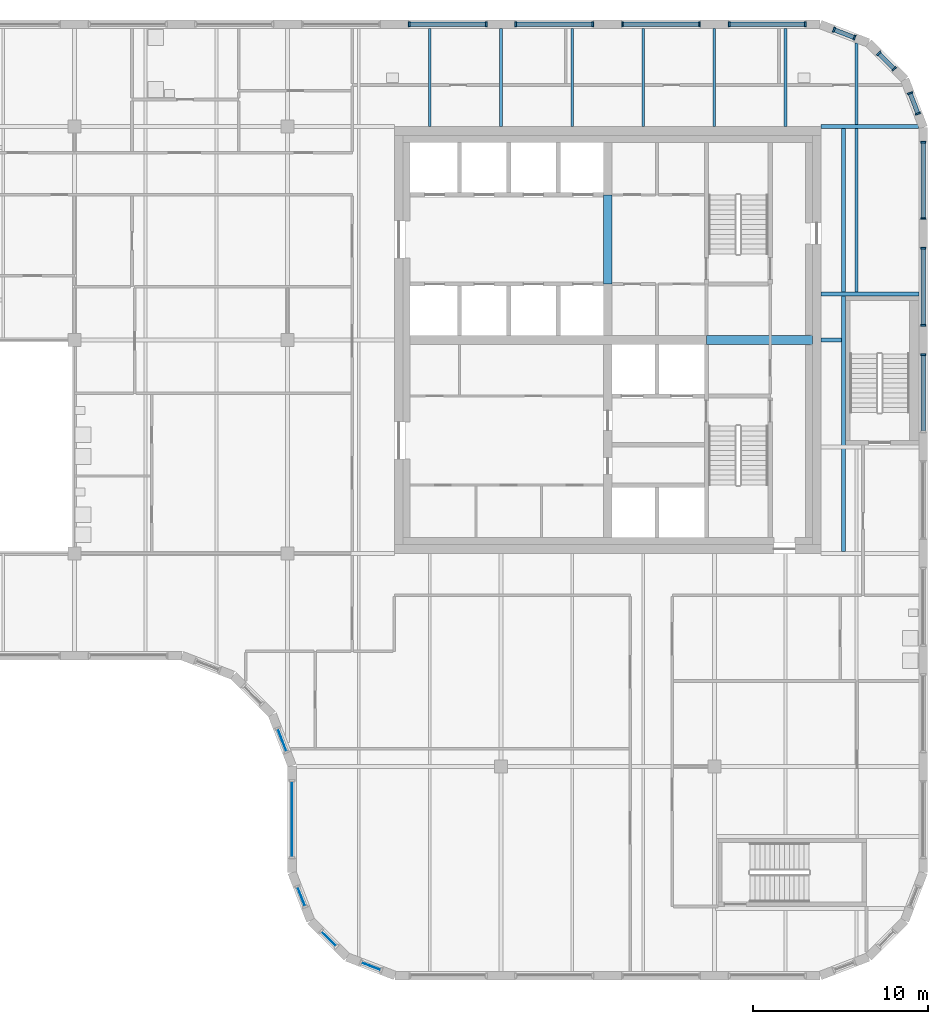
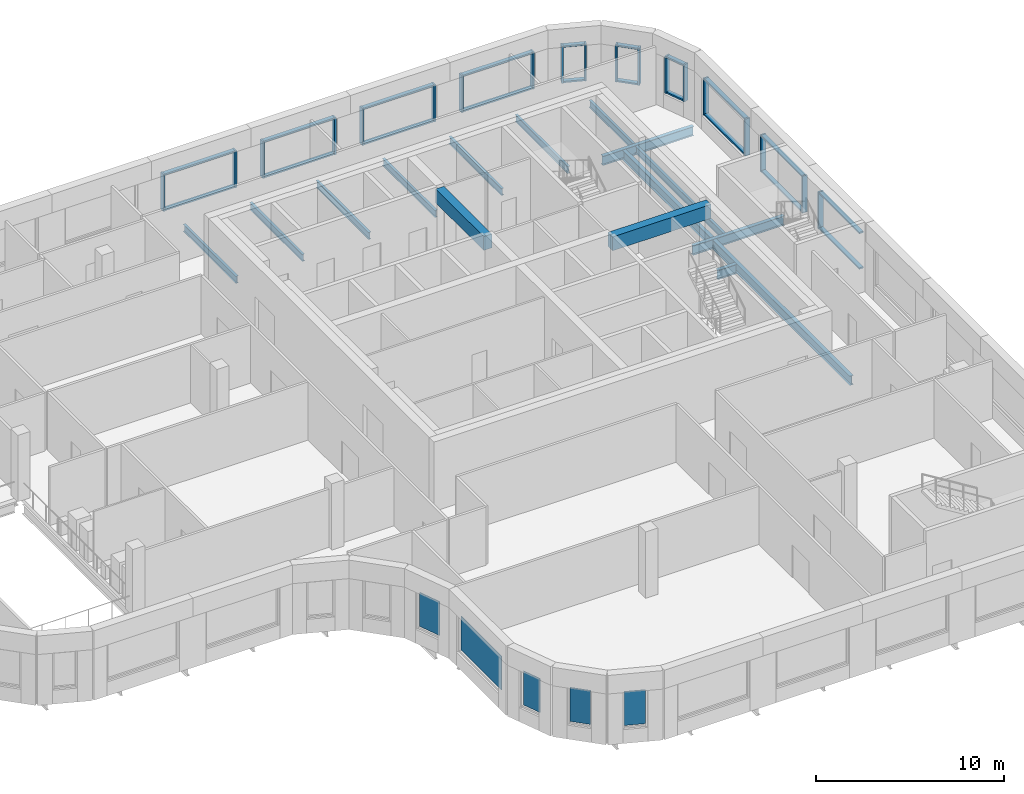
# One storey, part 5 of 21: 39 members, 14 beams, 5 plates, 15 elements without a shape of their own.
"""IFC4 building model written with IfcOpenShell, lengths in metres."""

from ifc_helpers import new_model, si_unit, direction, frame, origin, origin_2d, place, context, subcontext, project, spatial, rectangle, i_section, extrude, material, layer, layer_set, material_profile, profile_set, type_object, element, aggregate, save


model = new_model("IFC4")

# Units and contexts
model_context = context("Model", 3, precision=1e-05, world=origin(), true_north=direction((0.0, 1.0)))
body_context = subcontext(model_context, "Body", "Model", "MODEL_VIEW")
ifc_project = project(units=[si_unit("LENGTHUNIT", "METRE"), si_unit("AREAUNIT", "SQUARE_METRE"), si_unit("VOLUMEUNIT", "CUBIC_METRE"), si_unit("PLANEANGLEUNIT", "RADIAN"), si_unit("MASSUNIT", "GRAM", prefix="KILO")], contexts=[model_context])

# Site, building, storey
site_placement = place(None, origin())
site = spatial("IfcSite", under=ifc_project, at=site_placement, CompositionType="ELEMENT")
building_placement = place(site_placement, origin())
building = spatial("IfcBuilding", under=site, at=building_placement, Name="Tessera Gate Towers", CompositionType="ELEMENT")
storey_placement = place(building_placement, frame((0.0, 0.0, 193.39990234375)))
storey = spatial("IfcBuildingStorey", under=building, at=storey_placement, Name="L48", CompositionType="ELEMENT", Elevation=193.39990234375)

# Beams
ifc_material_1 = material(Name="Concrete C50/60", Category="concrete")
ifc_material_profile_1 = material_profile(ifc_material_1, rectangle(XDim=0.5, YDim=0.89990234375, at=origin_2d()), Name="RC 500x900")
ifc_profile_set_1 = profile_set([ifc_material_profile_1], Name="Concrete C50/60")
beam_type_1 = type_object("IfcBeamType", Name="COUPLING BEAM 500x900 C50/60", PredefinedType="BEAM", material=ifc_profile_set_1)
beam_1_placement = place(storey_placement, frame((48.35009765625, 36.60009765625, 3.85009765625), z_axis=(1.0, 0.0, 0.0), x_axis=(0.0, 1.0, 0.0)))
element("IfcBeam", 1, at=beam_1_placement, inside=storey, type_object=beam_type_1, Name="L48 coupling beam 1", PredefinedType="BEAM", context=body_context, shape_type="SweptSolid", body=[
    extrude(rectangle(XDim=0.5, YDim=0.89990234375, at=origin_2d()), origin(), (0.0, 0.0, 1.0), 6.0498046875),
])
beam_2_placement = place(storey_placement, frame((42.699951171875, 39.800048828125, 3.85009765625), z_axis=(0.0, 1.0, 0.0), x_axis=(-1.0, 0.0, 0.0)))
element("IfcBeam", 2, at=beam_2_placement, inside=storey, type_object=beam_type_1, Name="L48 coupling beam 2", PredefinedType="BEAM", context=body_context, shape_type="SweptSolid", body=[
    extrude(rectangle(XDim=0.5, YDim=0.89990234375, at=origin_2d()), origin(), (0.0, 0.0, 1.0), 5.099853515625),
])
ifc_material_2 = material(Name="Steel 350W", Category="steel")
ifc_material_profile_2 = material_profile(ifc_material_2, i_section(OverallWidth=0.22802734375, OverallDepth=0.60302734375, WebThickness=0.010498046875, FlangeThickness=0.014892578125, at=origin_2d()), Name="W610x101")
ifc_profile_set_2 = profile_set([ifc_material_profile_2], Name="Steel 350W")
beam_type_2 = type_object("IfcBeamType", Name="FLOOR GIRDER W610x101", PredefinedType="BEAM", material=ifc_profile_set_2)
beam_3_placement = place(storey_placement, frame((54.89892578125, 36.60009765625, -0.551513671875), z_axis=(1.0, 0.0, 0.0), x_axis=(0.0, 1.0, 0.0)))
element("IfcBeam", 3, at=beam_3_placement, inside=storey, type_object=beam_type_2, Name="T1-GD-L48-5118", PredefinedType="BEAM", context=body_context, shape_type="SweptSolid", body=[
    extrude(i_section(OverallWidth=0.22802734375, OverallDepth=0.60302734375, WebThickness=0.010498046875, FlangeThickness=0.014892578125, at=origin_2d()), origin(), (0.0, 0.0, 1.0), 1.1669921875),
])
beam_4_placement = place(storey_placement, frame((54.90087890625, 48.800048828125, -0.551513671875), z_axis=(1.0, 0.0, 0.0), x_axis=(0.0, 1.0, 0.0)))
element("IfcBeam", 4, at=beam_4_placement, inside=storey, type_object=beam_type_2, Name="T1-GD-L48-5122", PredefinedType="BEAM", context=body_context, shape_type="SweptSolid", body=[
    extrude(i_section(OverallWidth=0.22802734375, OverallDepth=0.60302734375, WebThickness=0.010498046875, FlangeThickness=0.014892578125, at=origin_2d()), origin(), (0.0, 0.0, 1.0), 5.564208984375),
])
beam_5_placement = place(storey_placement, frame((54.89892578125, 39.219970703125, -0.551513671875), z_axis=(1.0, 0.0, 0.0), x_axis=(0.0, 1.0, 0.0)))
element("IfcBeam", 5, at=beam_5_placement, inside=storey, type_object=beam_type_2, Name="T1-GD-L48-5140", PredefinedType="BEAM", context=body_context, shape_type="SweptSolid", body=[
    extrude(i_section(OverallWidth=0.22802734375, OverallDepth=0.60302734375, WebThickness=0.010498046875, FlangeThickness=0.014892578125, at=origin_2d()), origin(), (0.0, 0.0, 1.0), 5.60205078125),
])
beam_6_placement = place(storey_placement, frame((56.179931640625, 24.513916015625, -0.551513671875), z_axis=(0.0, 1.0, 0.0), x_axis=(-1.0, 0.0, 0.0)))
element("IfcBeam", 6, at=beam_6_placement, inside=storey, type_object=beam_type_2, Name="T1-GD-L48-5141", PredefinedType="BEAM", context=body_context, shape_type="SweptSolid", body=[
    extrude(i_section(OverallWidth=0.22802734375, OverallDepth=0.60302734375, WebThickness=0.010498046875, FlangeThickness=0.014892578125, at=origin_2d()), origin(), (0.0, 0.0, 1.0), 24.172119140625),
])
ifc_material_3 = material(Name="Steel 350W", Category="steel")
ifc_material_profile_3 = material_profile(ifc_material_3, i_section(OverallWidth=0.153076171875, OverallDepth=0.455078125, WebThickness=0.008056640625, FlangeThickness=0.01318359375, at=origin_2d()), Name="W460x60")
ifc_profile_set_3 = profile_set([ifc_material_profile_3], Name="Steel 350W")
beam_type_3 = type_object("IfcBeamType", Name="FLOOR SECONDARY W460x60", PredefinedType="BEAM", material=ifc_profile_set_3)
for number, where, z_axis, x_axis, name in (
    (7, (32.533203125, 48.800048828125, -0.477294921875), (0.0, 1.0, 0.0), (-1.0, 0.0, 0.0), "T1-BM-L48-5163"),
    (8, (36.60009765625, 48.800048828125, -0.477294921875), (0.0, 1.0, 0.0), (-1.0, 0.0, 0.0), "T1-BM-L48-5164"),
    (9, (40.666748046875, 48.800048828125, -0.477294921875), (0.0, 1.0, 0.0), (-1.0, 0.0, 0.0), "T1-BM-L48-5167"),
    (10, (44.7333984375, 48.800048828125, -0.477294921875), (0.0, 1.0, 0.0), (-1.0, 0.0, 0.0), "T1-BM-L48-5170"),
    (11, (48.800048828125, 48.800048828125, -0.477294921875), (0.0, 1.0, 0.0), (-1.0, 0.0, 0.0), "T1-BM-L48-5171"),
    (12, (52.86669921875, 48.800048828125, -0.477294921875), (0.0, 1.0, 0.0), (-1.0, 0.0, 0.0), "T1-BM-L48-5175"),
):
    element("IfcBeam", number, at=place(storey_placement, frame(where, z_axis=z_axis, x_axis=x_axis)), inside=storey, type_object=beam_type_3, Name=name, PredefinedType="BEAM", context=body_context, shape_type="SweptSolid", body=[
        extrude(i_section(OverallWidth=0.153076171875, OverallDepth=0.455078125, WebThickness=0.008056640625, FlangeThickness=0.01318359375, at=origin_2d()), origin(), (0.0, 0.0, 1.0), 5.599853515625),
    ])
beam_7_placement = place(storey_placement, frame((56.933349609375, 39.333984375, -0.477294921875), z_axis=(0.0, 1.0, 0.0), x_axis=(-1.0, 0.0, 0.0)))
element("IfcBeam", 13, at=beam_7_placement, inside=storey, type_object=beam_type_3, Name="T1-BM-L48-5180", PredefinedType="BEAM", context=body_context, shape_type="SweptSolid", body=[
    extrude(i_section(OverallWidth=0.153076171875, OverallDepth=0.455078125, WebThickness=0.008056640625, FlangeThickness=0.01318359375, at=origin_2d()), origin(), (0.0, 0.0, 1.0), 9.35205078125),
])
beam_8_placement = place(storey_placement, frame((56.933349609375, 48.9140625, -0.477294921875), z_axis=(0.0, 1.0, 0.0), x_axis=(-1.0, 0.0, 0.0)))
element("IfcBeam", 14, at=beam_8_placement, inside=storey, type_object=beam_type_3, Name="T1-BM-L48-5181", PredefinedType="BEAM", context=body_context, shape_type="SweptSolid", body=[
    extrude(i_section(OverallWidth=0.153076171875, OverallDepth=0.455078125, WebThickness=0.008056640625, FlangeThickness=0.01318359375, at=origin_2d()), origin(), (0.0, 0.0, 1.0), 4.66552734375),
])

# Curtain wall, member
ifc_material_4 = material(Name="Aluminium frame", Category="aluminium")
curtain_wall_type = type_object("IfcCurtainWallType", Name="CW-S3 amenity floor glazing", PredefinedType="NOTDEFINED", material=ifc_material_4)
curtain_wall_1_placement = place(storey_placement, origin())
curtain_wall_1 = element("IfcCurtainWall", 15, at=curtain_wall_1_placement, inside=storey, type_object=curtain_wall_type, Name="Curtain wall amenity floor glazing 0056", PredefinedType="NOTDEFINED")
ifc_material_5 = material(Name="Aluminium frame", Category="aluminium")
ifc_material_profile_4 = material_profile(ifc_material_5, rectangle(XDim=0.10009765625, YDim=0.300048828125, at=origin_2d()), Name="AL 100x300")
ifc_profile_set_4 = profile_set([ifc_material_profile_4], Name="Aluminium frame")
member_type_1 = type_object("IfcMemberType", Name="MU-S3 mullion 100x300", PredefinedType="MULLION", material=ifc_profile_set_4)
member_1_placement = place(storey_placement, frame((60.75, 35.75, 0.900146484375), z_axis=(0.0, 0.0, 1.0), x_axis=(0.0, 1.0, 0.0)))
member_1 = element("IfcMember", 16, at=member_1_placement, type_object=member_type_1, Name="T1-CW3-0056 mullion 2", PredefinedType="MULLION", context=body_context, shape_type="SweptSolid", body=[
    extrude(rectangle(XDim=0.10009765625, YDim=0.300048828125, at=origin_2d()), origin(), (0.0, 0.0, 1.0), 2.39990234375),
])

# Curtain wall, members
curtain_wall_2_placement = place(storey_placement, origin())
curtain_wall_2 = element("IfcCurtainWall", 17, at=curtain_wall_2_placement, inside=storey, type_object=curtain_wall_type, Name="Curtain wall amenity floor glazing 0057", PredefinedType="NOTDEFINED")
member_2_placement = place(storey_placement, frame((60.75, 37.449951171875, 0.900146484375), z_axis=(0.0, 0.0, 1.0), x_axis=(0.0, 1.0, 0.0)))
member_2 = element("IfcMember", 18, at=member_2_placement, type_object=member_type_1, Name="T1-CW3-0057 mullion 1", PredefinedType="MULLION", context=body_context, shape_type="SweptSolid", body=[
    extrude(rectangle(XDim=0.10009765625, YDim=0.300048828125, at=origin_2d()), origin(), (0.0, 0.0, 1.0), 2.39990234375),
])
member_3_placement = place(storey_placement, frame((60.75, 41.85009765625, 0.900146484375), z_axis=(0.0, 0.0, 1.0), x_axis=(0.0, 1.0, 0.0)))
member_3 = element("IfcMember", 19, at=member_3_placement, type_object=member_type_1, Name="T1-CW3-0057 mullion 2", PredefinedType="MULLION", context=body_context, shape_type="SweptSolid", body=[
    extrude(rectangle(XDim=0.10009765625, YDim=0.300048828125, at=origin_2d()), origin(), (0.0, 0.0, 1.0), 2.39990234375),
])

curtain_wall_3_placement = place(storey_placement, origin())
curtain_wall_3 = element("IfcCurtainWall", 20, at=curtain_wall_3_placement, inside=storey, type_object=curtain_wall_type, Name="Curtain wall amenity floor glazing 0058", PredefinedType="NOTDEFINED")
member_4_placement = place(storey_placement, frame((60.75, 43.550048828125, 0.900146484375), z_axis=(0.0, 0.0, 1.0), x_axis=(0.0, 1.0, 0.0)))
member_4 = element("IfcMember", 21, at=member_4_placement, type_object=member_type_1, Name="T1-CW3-0058 mullion 1", PredefinedType="MULLION", context=body_context, shape_type="SweptSolid", body=[
    extrude(rectangle(XDim=0.10009765625, YDim=0.300048828125, at=origin_2d()), origin(), (0.0, 0.0, 1.0), 2.39990234375),
])
member_5_placement = place(storey_placement, frame((60.75, 47.903564453125, 0.900146484375), z_axis=(0.0, 0.0, 1.0), x_axis=(0.0, 1.0, 0.0)))
member_5 = element("IfcMember", 22, at=member_5_placement, type_object=member_type_1, Name="T1-CW3-0058 mullion 2", PredefinedType="MULLION", context=body_context, shape_type="SweptSolid", body=[
    extrude(rectangle(XDim=0.10009765625, YDim=0.300048828125, at=origin_2d()), origin(), (0.0, 0.0, 1.0), 2.39990234375),
])

curtain_wall_4_placement = place(storey_placement, origin())
curtain_wall_4 = element("IfcCurtainWall", 23, at=curtain_wall_4_placement, inside=storey, type_object=curtain_wall_type, Name="Curtain wall amenity floor glazing 0059", PredefinedType="NOTDEFINED")
member_6_placement = place(storey_placement, frame((60.444091796875, 49.54638671875, 0.900146484375), z_axis=(0.0, 0.0, 1.0), x_axis=(-0.359904070394, 0.932989314041, 0.0)))
member_6 = element("IfcMember", 24, at=member_6_placement, type_object=member_type_1, Name="T1-CW3-0059 mullion 1", PredefinedType="MULLION", context=body_context, shape_type="SweptSolid", body=[
    extrude(rectangle(XDim=0.10009765625, YDim=0.300048828125, at=origin_2d()), origin(), (0.0, 0.0, 1.0), 2.39990234375),
])
member_7_placement = place(storey_placement, frame((59.993896484375, 50.713134765625, 0.900146484375), z_axis=(0.0, 0.0, 1.0), x_axis=(-0.359904070394, 0.932989314041, 0.0)))
member_7 = element("IfcMember", 25, at=member_7_placement, type_object=member_type_1, Name="T1-CW3-0059 mullion 2", PredefinedType="MULLION", context=body_context, shape_type="SweptSolid", body=[
    extrude(rectangle(XDim=0.10009765625, YDim=0.300048828125, at=origin_2d()), origin(), (0.0, 0.0, 1.0), 2.39990234375),
])

curtain_wall_5_placement = place(storey_placement, origin())
curtain_wall_5 = element("IfcCurtainWall", 26, at=curtain_wall_5_placement, inside=storey, type_object=curtain_wall_type, Name="Curtain wall amenity floor glazing 0060", PredefinedType="NOTDEFINED")
member_8_placement = place(storey_placement, frame((59.087158203125, 52.107421875, 0.900146484375), z_axis=(0.0, 0.0, 1.0), x_axis=(-0.707106781187, 0.707106781187, 0.0)))
member_8 = element("IfcMember", 27, at=member_8_placement, type_object=member_type_1, Name="T1-CW3-0060 mullion 1", PredefinedType="MULLION", context=body_context, shape_type="SweptSolid", body=[
    extrude(rectangle(XDim=0.10009765625, YDim=0.300048828125, at=origin_2d()), origin(), (0.0, 0.0, 1.0), 2.39990234375),
])
member_9_placement = place(storey_placement, frame((58.207275390625, 52.987060546875, 0.900146484375), z_axis=(0.0, 0.0, 1.0), x_axis=(-0.707106781187, 0.707106781187, 0.0)))
member_9 = element("IfcMember", 28, at=member_9_placement, type_object=member_type_1, Name="T1-CW3-0060 mullion 2", PredefinedType="MULLION", context=body_context, shape_type="SweptSolid", body=[
    extrude(rectangle(XDim=0.10009765625, YDim=0.300048828125, at=origin_2d()), origin(), (0.0, 0.0, 1.0), 2.39990234375),
])

curtain_wall_6_placement = place(storey_placement, origin())
curtain_wall_6 = element("IfcCurtainWall", 29, at=curtain_wall_6_placement, inside=storey, type_object=curtain_wall_type, Name="Curtain wall amenity floor glazing 0061", PredefinedType="NOTDEFINED")
member_10_placement = place(storey_placement, frame((56.813232421875, 53.89404296875, 0.900146484375), z_axis=(0.0, 0.0, 1.0), x_axis=(-0.932989314041, 0.359904070394, 0.0)))
member_10 = element("IfcMember", 30, at=member_10_placement, type_object=member_type_1, Name="T1-CW3-0061 mullion 1", PredefinedType="MULLION", context=body_context, shape_type="SweptSolid", body=[
    extrude(rectangle(XDim=0.10009765625, YDim=0.300048828125, at=origin_2d()), origin(), (0.0, 0.0, 1.0), 2.39990234375),
])
member_11_placement = place(storey_placement, frame((55.646484375, 54.343994140625, 0.900146484375), z_axis=(0.0, 0.0, 1.0), x_axis=(-0.932989314041, 0.359904070394, 0.0)))
member_11 = element("IfcMember", 31, at=member_11_placement, type_object=member_type_1, Name="T1-CW3-0061 mullion 2", PredefinedType="MULLION", context=body_context, shape_type="SweptSolid", body=[
    extrude(rectangle(XDim=0.10009765625, YDim=0.300048828125, at=origin_2d()), origin(), (0.0, 0.0, 1.0), 2.39990234375),
])

curtain_wall_7_placement = place(storey_placement, origin())
curtain_wall_7 = element("IfcCurtainWall", 32, at=curtain_wall_7_placement, inside=storey, type_object=curtain_wall_type, Name="Curtain wall amenity floor glazing 0062", PredefinedType="NOTDEFINED")
member_12_placement = place(storey_placement, frame((54.00341796875, 54.64990234375, 0.900146484375), z_axis=(0.0, 0.0, 1.0), x_axis=(-1.0, 0.0, 0.0)))
member_12 = element("IfcMember", 33, at=member_12_placement, type_object=member_type_1, Name="T1-CW3-0062 mullion 1", PredefinedType="MULLION", context=body_context, shape_type="SweptSolid", body=[
    extrude(rectangle(XDim=0.10009765625, YDim=0.300048828125, at=origin_2d()), origin(), (0.0, 0.0, 1.0), 2.39990234375),
])
member_13_placement = place(storey_placement, frame((49.64990234375, 54.64990234375, 0.900146484375), z_axis=(0.0, 0.0, 1.0), x_axis=(-1.0, 0.0, 0.0)))
member_13 = element("IfcMember", 34, at=member_13_placement, type_object=member_type_1, Name="T1-CW3-0062 mullion 2", PredefinedType="MULLION", context=body_context, shape_type="SweptSolid", body=[
    extrude(rectangle(XDim=0.10009765625, YDim=0.300048828125, at=origin_2d()), origin(), (0.0, 0.0, 1.0), 2.39990234375),
])

curtain_wall_8_placement = place(storey_placement, origin())
curtain_wall_8 = element("IfcCurtainWall", 35, at=curtain_wall_8_placement, inside=storey, type_object=curtain_wall_type, Name="Curtain wall amenity floor glazing 0063", PredefinedType="NOTDEFINED")
member_14_placement = place(storey_placement, frame((47.949951171875, 54.64990234375, 0.900146484375), z_axis=(0.0, 0.0, 1.0), x_axis=(-1.0, 0.0, 0.0)))
member_14 = element("IfcMember", 36, at=member_14_placement, type_object=member_type_1, Name="T1-CW3-0063 mullion 1", PredefinedType="MULLION", context=body_context, shape_type="SweptSolid", body=[
    extrude(rectangle(XDim=0.10009765625, YDim=0.300048828125, at=origin_2d()), origin(), (0.0, 0.0, 1.0), 2.39990234375),
])
member_15_placement = place(storey_placement, frame((43.550048828125, 54.64990234375, 0.900146484375), z_axis=(0.0, 0.0, 1.0), x_axis=(-1.0, 0.0, 0.0)))
member_15 = element("IfcMember", 37, at=member_15_placement, type_object=member_type_1, Name="T1-CW3-0063 mullion 2", PredefinedType="MULLION", context=body_context, shape_type="SweptSolid", body=[
    extrude(rectangle(XDim=0.10009765625, YDim=0.300048828125, at=origin_2d()), origin(), (0.0, 0.0, 1.0), 2.39990234375),
])

curtain_wall_9_placement = place(storey_placement, origin())
curtain_wall_9 = element("IfcCurtainWall", 38, at=curtain_wall_9_placement, inside=storey, type_object=curtain_wall_type, Name="Curtain wall amenity floor glazing 0064", PredefinedType="NOTDEFINED")
member_16_placement = place(storey_placement, frame((41.85009765625, 54.64990234375, 0.900146484375), z_axis=(0.0, 0.0, 1.0), x_axis=(-1.0, 0.0, 0.0)))
member_16 = element("IfcMember", 39, at=member_16_placement, type_object=member_type_1, Name="T1-CW3-0064 mullion 1", PredefinedType="MULLION", context=body_context, shape_type="SweptSolid", body=[
    extrude(rectangle(XDim=0.10009765625, YDim=0.300048828125, at=origin_2d()), origin(), (0.0, 0.0, 1.0), 2.39990234375),
])
member_17_placement = place(storey_placement, frame((37.449951171875, 54.64990234375, 0.900146484375), z_axis=(0.0, 0.0, 1.0), x_axis=(-1.0, 0.0, 0.0)))
member_17 = element("IfcMember", 40, at=member_17_placement, type_object=member_type_1, Name="T1-CW3-0064 mullion 2", PredefinedType="MULLION", context=body_context, shape_type="SweptSolid", body=[
    extrude(rectangle(XDim=0.10009765625, YDim=0.300048828125, at=origin_2d()), origin(), (0.0, 0.0, 1.0), 2.39990234375),
])

curtain_wall_10_placement = place(storey_placement, origin())
curtain_wall_10 = element("IfcCurtainWall", 41, at=curtain_wall_10_placement, inside=storey, type_object=curtain_wall_type, Name="Curtain wall amenity floor glazing 0065", PredefinedType="NOTDEFINED")
member_18_placement = place(storey_placement, frame((35.75, 54.64990234375, 0.900146484375), z_axis=(0.0, 0.0, 1.0), x_axis=(-1.0, 0.0, 0.0)))
member_18 = element("IfcMember", 42, at=member_18_placement, type_object=member_type_1, Name="T1-CW3-0065 mullion 1", PredefinedType="MULLION", context=body_context, shape_type="SweptSolid", body=[
    extrude(rectangle(XDim=0.10009765625, YDim=0.300048828125, at=origin_2d()), origin(), (0.0, 0.0, 1.0), 2.39990234375),
])
member_19_placement = place(storey_placement, frame((31.35009765625, 54.64990234375, 0.900146484375), z_axis=(0.0, 0.0, 1.0), x_axis=(-1.0, 0.0, 0.0)))
member_19 = element("IfcMember", 43, at=member_19_placement, type_object=member_type_1, Name="T1-CW3-0065 mullion 2", PredefinedType="MULLION", context=body_context, shape_type="SweptSolid", body=[
    extrude(rectangle(XDim=0.10009765625, YDim=0.300048828125, at=origin_2d()), origin(), (0.0, 0.0, 1.0), 2.39990234375),
])

# Member
ifc_material_6 = material(Name="Aluminium frame", Category="aluminium")
ifc_material_profile_5 = material_profile(ifc_material_6, rectangle(XDim=0.25, YDim=0.10009765625, at=origin_2d()), Name="AL 100x250")
ifc_profile_set_5 = profile_set([ifc_material_profile_5], Name="Aluminium frame")
member_type_2 = type_object("IfcMemberType", Name="TR-S3 transom 100x250", PredefinedType="USERDEFINED", material=ifc_profile_set_5)
member_20_placement = place(storey_placement, frame((60.75, 31.39990234375, 0.9501953125), z_axis=(0.0, 1.0, 0.0), x_axis=(-1.0, 0.0, 0.0)))
member_20 = element("IfcMember", 44, at=member_20_placement, type_object=member_type_2, Name="T1-CW3-0056 transom 1.1", ObjectType="TRANSOM", PredefinedType="USERDEFINED", context=body_context, shape_type="SweptSolid", body=[
    extrude(rectangle(XDim=0.25, YDim=0.10009765625, at=origin_2d()), origin(), (0.0, 0.0, 1.0), 4.300048828125),
])

member_21_placement = place(storey_placement, frame((60.75, 31.39990234375, 3.25), z_axis=(0.0, 1.0, 0.0), x_axis=(-1.0, 0.0, 0.0)))
member_21 = element("IfcMember", 45, at=member_21_placement, type_object=member_type_2, Name="T1-CW3-0056 transom 1.2", ObjectType="TRANSOM", PredefinedType="USERDEFINED", context=body_context, shape_type="SweptSolid", body=[
    extrude(rectangle(XDim=0.25, YDim=0.10009765625, at=origin_2d()), origin(), (0.0, 0.0, 1.0), 4.300048828125),
])

aggregate(curtain_wall_1, [member_1, member_20, member_21])

member_22_placement = place(storey_placement, frame((60.75, 37.5, 0.9501953125), z_axis=(0.0, 1.0, 0.0), x_axis=(-1.0, 0.0, 0.0)))
member_22 = element("IfcMember", 46, at=member_22_placement, type_object=member_type_2, Name="T1-CW3-0057 transom 1.1", ObjectType="TRANSOM", PredefinedType="USERDEFINED", context=body_context, shape_type="SweptSolid", body=[
    extrude(rectangle(XDim=0.25, YDim=0.10009765625, at=origin_2d()), origin(), (0.0, 0.0, 1.0), 4.300048828125),
])

member_23_placement = place(storey_placement, frame((60.75, 37.5, 3.25), z_axis=(0.0, 1.0, 0.0), x_axis=(-1.0, 0.0, 0.0)))
member_23 = element("IfcMember", 47, at=member_23_placement, type_object=member_type_2, Name="T1-CW3-0057 transom 1.2", ObjectType="TRANSOM", PredefinedType="USERDEFINED", context=body_context, shape_type="SweptSolid", body=[
    extrude(rectangle(XDim=0.25, YDim=0.10009765625, at=origin_2d()), origin(), (0.0, 0.0, 1.0), 4.300048828125),
])

aggregate(curtain_wall_2, [member_2, member_3, member_22, member_23])

member_24_placement = place(storey_placement, frame((60.75, 43.60009765625, 0.9501953125), z_axis=(0.0, 1.0, 0.0), x_axis=(-1.0, 0.0, 0.0)))
member_24 = element("IfcMember", 48, at=member_24_placement, type_object=member_type_2, Name="T1-CW3-0058 transom 1.1", ObjectType="TRANSOM", PredefinedType="USERDEFINED", context=body_context, shape_type="SweptSolid", body=[
    extrude(rectangle(XDim=0.25, YDim=0.10009765625, at=origin_2d()), origin(), (0.0, 0.0, 1.0), 4.25341796875),
])

member_25_placement = place(storey_placement, frame((60.75, 43.60009765625, 3.25), z_axis=(0.0, 1.0, 0.0), x_axis=(-1.0, 0.0, 0.0)))
member_25 = element("IfcMember", 49, at=member_25_placement, type_object=member_type_2, Name="T1-CW3-0058 transom 1.2", ObjectType="TRANSOM", PredefinedType="USERDEFINED", context=body_context, shape_type="SweptSolid", body=[
    extrude(rectangle(XDim=0.25, YDim=0.10009765625, at=origin_2d()), origin(), (0.0, 0.0, 1.0), 4.25341796875),
])

aggregate(curtain_wall_3, [member_4, member_5, member_24, member_25])

member_26_placement = place(storey_placement, frame((60.426025390625, 49.59326171875, 0.9501953125), z_axis=(-0.35994596571, 0.932973151687, 0.0), x_axis=(-0.932973151687, -0.35994596571, 0.0)))
member_26 = element("IfcMember", 50, at=member_26_placement, type_object=member_type_2, Name="T1-CW3-0059 transom 1.1", ObjectType="TRANSOM", PredefinedType="USERDEFINED", context=body_context, shape_type="SweptSolid", body=[
    extrude(rectangle(XDim=0.25, YDim=0.10009765625, at=origin_2d()), origin(), (0.0, 0.0, 1.0), 1.150390625),
])

member_27_placement = place(storey_placement, frame((60.426025390625, 49.59326171875, 3.25), z_axis=(-0.35994596571, 0.932973151687, 0.0), x_axis=(-0.932973151687, -0.35994596571, 0.0)))
member_27 = element("IfcMember", 51, at=member_27_placement, type_object=member_type_2, Name="T1-CW3-0059 transom 1.2", ObjectType="TRANSOM", PredefinedType="USERDEFINED", context=body_context, shape_type="SweptSolid", body=[
    extrude(rectangle(XDim=0.25, YDim=0.10009765625, at=origin_2d()), origin(), (0.0, 0.0, 1.0), 1.150390625),
])

aggregate(curtain_wall_4, [member_6, member_7, member_26, member_27])

member_28_placement = place(storey_placement, frame((59.0517578125, 52.142578125, 0.9501953125), z_axis=(-0.707106781187, 0.707106781187, 0.0), x_axis=(-0.707106781187, -0.707106781187, 0.0)))
member_28 = element("IfcMember", 52, at=member_28_placement, type_object=member_type_2, Name="T1-CW3-0060 transom 1.1", ObjectType="TRANSOM", PredefinedType="USERDEFINED", context=body_context, shape_type="SweptSolid", body=[
    extrude(rectangle(XDim=0.25, YDim=0.10009765625, at=origin_2d()), origin(), (0.0, 0.0, 1.0), 1.144287109375),
])

member_29_placement = place(storey_placement, frame((59.0517578125, 52.142578125, 3.25), z_axis=(-0.707106781187, 0.707106781187, 0.0), x_axis=(-0.707106781187, -0.707106781187, 0.0)))
member_29 = element("IfcMember", 53, at=member_29_placement, type_object=member_type_2, Name="T1-CW3-0060 transom 1.2", ObjectType="TRANSOM", PredefinedType="USERDEFINED", context=body_context, shape_type="SweptSolid", body=[
    extrude(rectangle(XDim=0.25, YDim=0.10009765625, at=origin_2d()), origin(), (0.0, 0.0, 1.0), 1.144287109375),
])

aggregate(curtain_wall_5, [member_8, member_9, member_28, member_29])

member_30_placement = place(storey_placement, frame((56.7666015625, 53.912109375, 0.9501953125), z_axis=(-0.933000640571, 0.359874706938, 0.0), x_axis=(-0.359874706938, -0.933000640571, 0.0)))
member_30 = element("IfcMember", 54, at=member_30_placement, type_object=member_type_2, Name="T1-CW3-0061 transom 1.1", ObjectType="TRANSOM", PredefinedType="USERDEFINED", context=body_context, shape_type="SweptSolid", body=[
    extrude(rectangle(XDim=0.25, YDim=0.10009765625, at=origin_2d()), origin(), (0.0, 0.0, 1.0), 1.150634765625),
])

member_31_placement = place(storey_placement, frame((56.7666015625, 53.912109375, 3.25), z_axis=(-0.933000640571, 0.359874706938, 0.0), x_axis=(-0.359874706938, -0.933000640571, 0.0)))
member_31 = element("IfcMember", 55, at=member_31_placement, type_object=member_type_2, Name="T1-CW3-0061 transom 1.2", ObjectType="TRANSOM", PredefinedType="USERDEFINED", context=body_context, shape_type="SweptSolid", body=[
    extrude(rectangle(XDim=0.25, YDim=0.10009765625, at=origin_2d()), origin(), (0.0, 0.0, 1.0), 1.150634765625),
])

aggregate(curtain_wall_6, [member_10, member_11, member_30, member_31])

member_32_placement = place(storey_placement, frame((53.953369140625, 54.64990234375, 0.9501953125), z_axis=(-1.0, 0.0, 0.0), x_axis=(0.0, -1.0, 0.0)))
member_32 = element("IfcMember", 56, at=member_32_placement, type_object=member_type_2, Name="T1-CW3-0062 transom 1.1", ObjectType="TRANSOM", PredefinedType="USERDEFINED", context=body_context, shape_type="SweptSolid", body=[
    extrude(rectangle(XDim=0.25, YDim=0.10009765625, at=origin_2d()), origin(), (0.0, 0.0, 1.0), 4.25341796875),
])

member_33_placement = place(storey_placement, frame((53.953369140625, 54.64990234375, 3.25), z_axis=(-1.0, 0.0, 0.0), x_axis=(0.0, -1.0, 0.0)))
member_33 = element("IfcMember", 57, at=member_33_placement, type_object=member_type_2, Name="T1-CW3-0062 transom 1.2", ObjectType="TRANSOM", PredefinedType="USERDEFINED", context=body_context, shape_type="SweptSolid", body=[
    extrude(rectangle(XDim=0.25, YDim=0.10009765625, at=origin_2d()), origin(), (0.0, 0.0, 1.0), 4.25341796875),
])

aggregate(curtain_wall_7, [member_12, member_13, member_32, member_33])

member_34_placement = place(storey_placement, frame((47.89990234375, 54.64990234375, 0.9501953125), z_axis=(-1.0, 0.0, 0.0), x_axis=(0.0, -1.0, 0.0)))
member_34 = element("IfcMember", 58, at=member_34_placement, type_object=member_type_2, Name="T1-CW3-0063 transom 1.1", ObjectType="TRANSOM", PredefinedType="USERDEFINED", context=body_context, shape_type="SweptSolid", body=[
    extrude(rectangle(XDim=0.25, YDim=0.10009765625, at=origin_2d()), origin(), (0.0, 0.0, 1.0), 4.2998046875),
])

member_35_placement = place(storey_placement, frame((47.89990234375, 54.64990234375, 3.25), z_axis=(-1.0, 0.0, 0.0), x_axis=(0.0, -1.0, 0.0)))
member_35 = element("IfcMember", 59, at=member_35_placement, type_object=member_type_2, Name="T1-CW3-0063 transom 1.2", ObjectType="TRANSOM", PredefinedType="USERDEFINED", context=body_context, shape_type="SweptSolid", body=[
    extrude(rectangle(XDim=0.25, YDim=0.10009765625, at=origin_2d()), origin(), (0.0, 0.0, 1.0), 4.2998046875),
])

aggregate(curtain_wall_8, [member_14, member_15, member_34, member_35])

member_36_placement = place(storey_placement, frame((41.800048828125, 54.64990234375, 0.9501953125), z_axis=(-1.0, 0.0, 0.0), x_axis=(0.0, -1.0, 0.0)))
member_36 = element("IfcMember", 60, at=member_36_placement, type_object=member_type_2, Name="T1-CW3-0064 transom 1.1", ObjectType="TRANSOM", PredefinedType="USERDEFINED", context=body_context, shape_type="SweptSolid", body=[
    extrude(rectangle(XDim=0.25, YDim=0.10009765625, at=origin_2d()), origin(), (0.0, 0.0, 1.0), 4.300048828125),
])

member_37_placement = place(storey_placement, frame((41.800048828125, 54.64990234375, 3.25), z_axis=(-1.0, 0.0, 0.0), x_axis=(0.0, -1.0, 0.0)))
member_37 = element("IfcMember", 61, at=member_37_placement, type_object=member_type_2, Name="T1-CW3-0064 transom 1.2", ObjectType="TRANSOM", PredefinedType="USERDEFINED", context=body_context, shape_type="SweptSolid", body=[
    extrude(rectangle(XDim=0.25, YDim=0.10009765625, at=origin_2d()), origin(), (0.0, 0.0, 1.0), 4.300048828125),
])

aggregate(curtain_wall_9, [member_16, member_17, member_36, member_37])

member_38_placement = place(storey_placement, frame((35.699951171875, 54.64990234375, 0.9501953125), z_axis=(-1.0, 0.0, 0.0), x_axis=(0.0, -1.0, 0.0)))
member_38 = element("IfcMember", 62, at=member_38_placement, type_object=member_type_2, Name="T1-CW3-0065 transom 1.1", ObjectType="TRANSOM", PredefinedType="USERDEFINED", context=body_context, shape_type="SweptSolid", body=[
    extrude(rectangle(XDim=0.25, YDim=0.10009765625, at=origin_2d()), origin(), (0.0, 0.0, 1.0), 4.300048828125),
])

member_39_placement = place(storey_placement, frame((35.699951171875, 54.64990234375, 3.25), z_axis=(-1.0, 0.0, 0.0), x_axis=(0.0, -1.0, 0.0)))
member_39 = element("IfcMember", 63, at=member_39_placement, type_object=member_type_2, Name="T1-CW3-0065 transom 1.2", ObjectType="TRANSOM", PredefinedType="USERDEFINED", context=body_context, shape_type="SweptSolid", body=[
    extrude(rectangle(XDim=0.25, YDim=0.10009765625, at=origin_2d()), origin(), (0.0, 0.0, 1.0), 4.300048828125),
])

aggregate(curtain_wall_10, [member_18, member_19, member_38, member_39])

# Curtain wall, plate
curtain_wall_11_placement = place(storey_placement, origin())
curtain_wall_11 = element("IfcCurtainWall", 64, at=curtain_wall_11_placement, inside=storey, type_object=curtain_wall_type, Name="Curtain wall amenity floor glazing 0084", PredefinedType="NOTDEFINED")
ifc_material_7 = material(Name="Low-e laminated glass", Category="glass")
ifc_layer = layer(ifc_material_7, 0.035888671875)
ifc_layer_set = layer_set([ifc_layer], Name="PN-S3 glass panel 36")
plate_type = type_object("IfcPlateType", Name="PN-S3 glass panel 36", PredefinedType="CURTAIN_PANEL", material=ifc_layer_set)
plate_1_placement = place(storey_placement, frame((24.083251953125, 13.7158203125, 1.0), z_axis=(0.0, 0.0, 1.0), x_axis=(0.359903715066, -0.932989451109, 0.0)))
plate_1 = element("IfcPlate", 65, at=plate_1_placement, type_object=plate_type, Name="T1-CW3-0084 panel 1.1", PredefinedType="CURTAIN_PANEL", context=body_context, shape_type="SweptSolid", body=[
    extrude(rectangle(XDim=1.349365234375, YDim=0.035888671875, at=origin_2d()), origin(), (0.0, 0.0, 1.0), 2.199951171875),
])
aggregate(curtain_wall_11, [plate_1])

curtain_wall_12_placement = place(storey_placement, origin())
curtain_wall_12 = element("IfcCurtainWall", 66, at=curtain_wall_12_placement, inside=storey, type_object=curtain_wall_type, Name="Curtain wall amenity floor glazing 0085", PredefinedType="NOTDEFINED")
plate_2_placement = place(storey_placement, frame((24.64990234375, 9.196533203125, 1.0), z_axis=(0.0, 0.0, 1.0), x_axis=(0.0, -1.0, 0.0)))
plate_2 = element("IfcPlate", 67, at=plate_2_placement, type_object=plate_type, Name="T1-CW3-0085 panel 1.1", PredefinedType="CURTAIN_PANEL", context=body_context, shape_type="SweptSolid", body=[
    extrude(rectangle(XDim=4.300048828125, YDim=0.035888671875, at=origin_2d()), origin(), (0.0, 0.0, 1.0), 2.199951171875),
])
aggregate(curtain_wall_12, [plate_2])

curtain_wall_13_placement = place(storey_placement, origin())
curtain_wall_13 = element("IfcCurtainWall", 68, at=curtain_wall_13_placement, inside=storey, type_object=curtain_wall_type, Name="Curtain wall amenity floor glazing 0086", PredefinedType="NOTDEFINED")
plate_3_placement = place(storey_placement, frame((25.180908203125, 4.77001953125, 1.0), z_axis=(0.0, 0.0, 1.0), x_axis=(0.359904070394, -0.932989314041, 0.0)))
plate_3 = element("IfcPlate", 69, at=plate_3_placement, type_object=plate_type, Name="T1-CW3-0086 panel 1.1", PredefinedType="CURTAIN_PANEL", context=body_context, shape_type="SweptSolid", body=[
    extrude(rectangle(XDim=1.150634765625, YDim=0.035888671875, at=origin_2d()), origin(), (0.0, 0.0, 1.0), 2.199951171875),
])
aggregate(curtain_wall_13, [plate_3])

curtain_wall_14_placement = place(storey_placement, origin())
curtain_wall_14 = element("IfcCurtainWall", 70, at=curtain_wall_14_placement, inside=storey, type_object=curtain_wall_type, Name="Curtain wall amenity floor glazing 0087", PredefinedType="NOTDEFINED")
plate_4_placement = place(storey_placement, frame((26.7529296875, 2.352783203125, 1.0), z_axis=(0.0, 0.0, 1.0), x_axis=(0.707106781187, -0.707106781187, 0.0)))
plate_4 = element("IfcPlate", 71, at=plate_4_placement, type_object=plate_type, Name="T1-CW3-0087 panel 1.1", PredefinedType="CURTAIN_PANEL", context=body_context, shape_type="SweptSolid", body=[
    extrude(rectangle(XDim=1.14404296875, YDim=0.035888671875, at=origin_2d()), origin(), (0.0, 0.0, 1.0), 2.199951171875),
])
aggregate(curtain_wall_14, [plate_4])

curtain_wall_15_placement = place(storey_placement, origin())
curtain_wall_15 = element("IfcCurtainWall", 72, at=curtain_wall_15_placement, inside=storey, type_object=curtain_wall_type, Name="Curtain wall amenity floor glazing 0088", PredefinedType="NOTDEFINED")
plate_5_placement = place(storey_placement, frame((29.170166015625, 0.781005859375, 1.0), z_axis=(0.0, 0.0, 1.0), x_axis=(0.932989314041, -0.359904070394, 0.0)))
plate_5 = element("IfcPlate", 73, at=plate_5_placement, type_object=plate_type, Name="T1-CW3-0088 panel 1.1", PredefinedType="CURTAIN_PANEL", context=body_context, shape_type="SweptSolid", body=[
    extrude(rectangle(XDim=1.150634765625, YDim=0.035888671875, at=origin_2d()), origin(), (0.0, 0.0, 1.0), 2.199951171875),
])
aggregate(curtain_wall_15, [plate_5])

save(model, "model.ifc")
